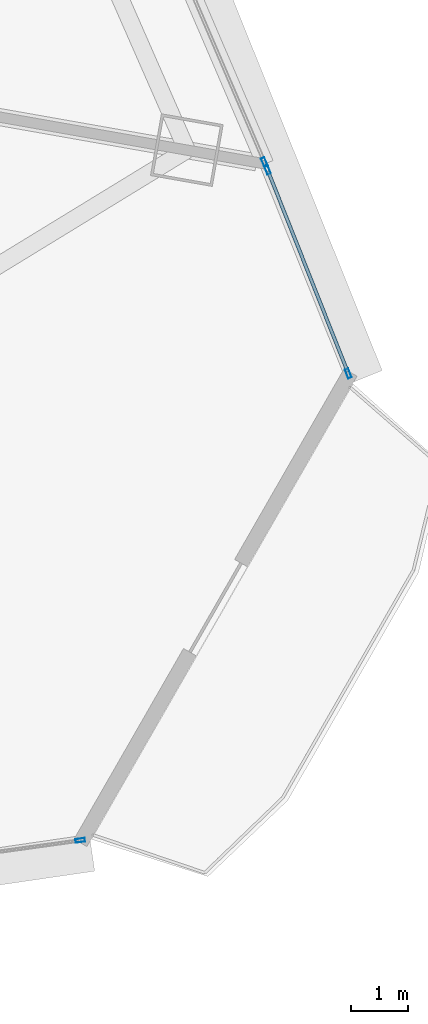
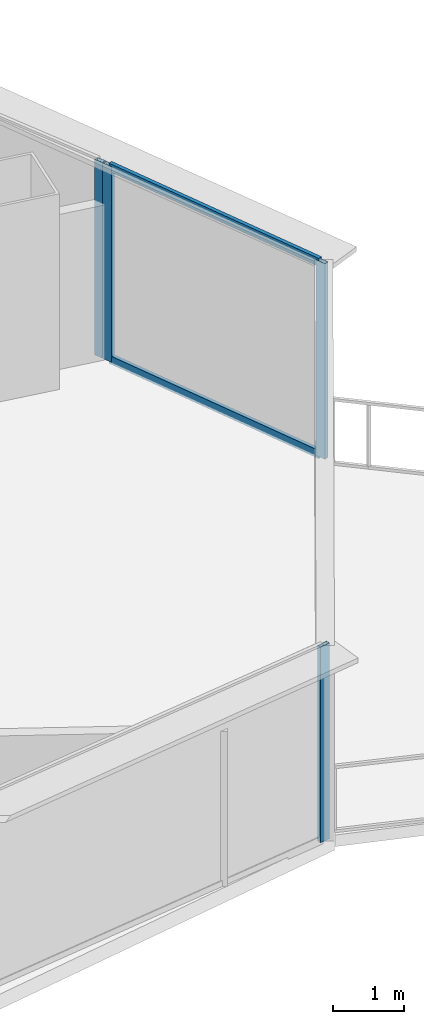
# One storey, part 22 of 37: 6 members, 3 elements without a shape of their own.
"""IFC4 building model written with IfcOpenShell, lengths in metres."""

from ifc_helpers import new_model, si_unit, direction, frame, origin, origin_2d, place, context, subcontext, project, spatial, hollow_rectangle, extrude, source, transform, mapped, material, layer, layer_set, material_profile, profile_set, type_object, element, aggregate, save


model = new_model("IFC4")

# Units and contexts
model_context = context("Model", 3, precision=1e-05, world=origin(), true_north=direction((0.0, 1.0)))
body_context = subcontext(model_context, "Body", "Model", "MODEL_VIEW")
ifc_project = project(units=[si_unit("LENGTHUNIT", "METRE"), si_unit("AREAUNIT", "SQUARE_METRE"), si_unit("VOLUMEUNIT", "CUBIC_METRE"), si_unit("PLANEANGLEUNIT", "RADIAN"), si_unit("MASSUNIT", "GRAM", prefix="KILO"), si_unit("THERMODYNAMICTEMPERATUREUNIT", "KELVIN"), si_unit("POWERUNIT", "WATT")], contexts=[model_context])

# Site, building, storey
site_placement = place(None, origin())
site = spatial("IfcSite", under=ifc_project, at=site_placement, CompositionType="ELEMENT")
building_placement = place(site_placement, origin())
building = spatial("IfcBuilding", under=site, at=building_placement, Name="Yunzhuo Pagoda Commons", CompositionType="ELEMENT")
storey_placement = place(building_placement, frame((0.0, 0.0, 55.81005859375)))
storey = spatial("IfcBuildingStorey", under=building, at=storey_placement, Name="L14", CompositionType="ELEMENT", Elevation=55.81005859375)

# Curtain wall, member
ifc_material = material(Name="Anodized aluminium 6063-T6", Category="aluminium")
ifc_layer = layer(ifc_material, 0.1650390625)
ifc_layer_set = layer_set([ifc_layer], Name="Anodized aluminium 6063-T6")
curtain_wall_type = type_object("IfcCurtainWallType", Name="CW-LOW Low-Zone Ribbon Curtain Wall", PredefinedType="NOTDEFINED", material=ifc_layer_set)
curtain_wall_1_placement = place(storey_placement, origin())
curtain_wall_1 = element("IfcCurtainWall", 1, at=curtain_wall_1_placement, inside=storey, type_object=curtain_wall_type, Name="L14 curtain wall CW-L14-F1B5", PredefinedType="NOTDEFINED")
ifc_material_profile_1 = material_profile(ifc_material, hollow_rectangle(XDim=0.06494140625, YDim=0.1650390625, WallThickness=0.00390625, at=origin_2d()), Name="Anodized aluminium 6063-T6")
ifc_profile_set_1 = profile_set([ifc_material_profile_1], Name="Anodized aluminium 6063-T6")
member_type_1 = type_object("IfcMemberType", Name="CW-LOW-M Mullion RHS 165x65x4", PredefinedType="MULLION", material=ifc_profile_set_1)
shared_shape_1 = source(origin(), body_context, "Body", "SweptSolid", [
    extrude(hollow_rectangle(XDim=0.06494140625, YDim=0.1650390625, WallThickness=0.00390625, at=origin_2d()), origin(), (0.0, 0.0, 1.0), 3.369873046875),
])
member_1_placement = place(storey_placement, frame((86.178955078125, 14.542236328125, 0.0), z_axis=(0.0, 0.0, 1.0), x_axis=(-0.13790498569, 0.990445462871, 0.0)))
member_1 = element("IfcMember", 2, at=member_1_placement, type_object=member_type_1, Name="CW mullion 2", PredefinedType="MULLION", context=body_context, shape_type="MappedRepresentation", body=[
    mapped(shared_shape_1, transform((0.0, 0.0, 0.0), scale=1.0)),
])
aggregate(curtain_wall_1, [member_1])

curtain_wall_2_placement = place(storey_placement, origin())
curtain_wall_2 = element("IfcCurtainWall", 3, at=curtain_wall_2_placement, inside=storey, type_object=curtain_wall_type, Name="L14 curtain wall CW-L14-F2B2", PredefinedType="NOTDEFINED")
member_2_placement = place(storey_placement, frame((89.40771484375, 26.426513671875, 0.0), z_axis=(0.0, 0.0, 1.0), x_axis=(-0.918993139703, -0.394273520769, 0.0)))
member_2 = element("IfcMember", 4, at=member_2_placement, type_object=member_type_1, Name="CW mullion 1", PredefinedType="MULLION", context=body_context, shape_type="MappedRepresentation", body=[
    mapped(shared_shape_1, transform((0.0, 0.0, 0.0), scale=1.0)),
])
aggregate(curtain_wall_2, [member_2])

# Curtain wall, members
curtain_wall_3_placement = place(storey_placement, origin())
curtain_wall_3 = element("IfcCurtainWall", 5, at=curtain_wall_3_placement, inside=storey, type_object=curtain_wall_type, Name="L14 curtain wall CW-L14-F2B1", PredefinedType="NOTDEFINED")
member_3_placement = place(storey_placement, frame((90.876953125, 22.7236328125, 0.0), z_axis=(0.0, 0.0, 1.0), x_axis=(-0.929582438104, -0.368614284542, 0.0)))
member_3 = element("IfcMember", 6, at=member_3_placement, type_object=member_type_1, Name="CW mullion 1", PredefinedType="MULLION", context=body_context, shape_type="MappedRepresentation", body=[
    mapped(shared_shape_1, transform((0.0, 0.0, 0.0), scale=1.0)),
])
member_4_placement = place(storey_placement, frame((89.460205078125, 26.29638671875, 0.0), z_axis=(0.0, 0.0, 1.0), x_axis=(-0.929582438104, -0.368614284542, 0.0)))
member_4 = element("IfcMember", 7, at=member_4_placement, type_object=member_type_1, Name="CW mullion 2", PredefinedType="MULLION", context=body_context, shape_type="MappedRepresentation", body=[
    mapped(shared_shape_1, transform((0.0, 0.0, 0.0), scale=1.0)),
])
ifc_material_profile_2 = material_profile(ifc_material, hollow_rectangle(XDim=0.06005859375, YDim=0.139892578125, WallThickness=0.00341796875, at=origin_2d()), Name="Anodized aluminium 6063-T6")
ifc_profile_set_2 = profile_set([ifc_material_profile_2], Name="Anodized aluminium 6063-T6")
member_type_2 = type_object("IfcMemberType", Name="CW-LOW-T Transom RHS 140x60x3.5", PredefinedType="USERDEFINED", material=ifc_profile_set_2)
shared_shape_2 = source(origin(), body_context, "Body", "SweptSolid", [
    extrude(hollow_rectangle(XDim=0.06005859375, YDim=0.139892578125, WallThickness=0.00341796875, at=origin_2d()), origin(), (0.0, 0.0, 1.0), 3.778564453125),
])
member_5_placement = place(storey_placement, frame((90.864990234375, 22.75390625, 0.030029296875), z_axis=(-0.368615131288, 0.929582102337, 0.0), x_axis=(-0.929582102337, -0.368615131288, 0.0)))
member_5 = element("IfcMember", 8, at=member_5_placement, type_object=member_type_2, Name="CW transom 1.1", ObjectType="TRANSOM", PredefinedType="USERDEFINED", context=body_context, shape_type="MappedRepresentation", body=[
    mapped(shared_shape_2, transform((0.0, 0.0, 0.0), scale=1.0)),
])
member_6_placement = place(storey_placement, frame((90.864990234375, 22.75390625, 3.33984375), z_axis=(-0.368615131288, 0.929582102337, 0.0), x_axis=(-0.929582102337, -0.368615131288, 0.0)))
member_6 = element("IfcMember", 9, at=member_6_placement, type_object=member_type_2, Name="CW transom 1.2", ObjectType="TRANSOM", PredefinedType="USERDEFINED", context=body_context, shape_type="MappedRepresentation", body=[
    mapped(shared_shape_2, transform((0.0, 0.0, 0.0), scale=1.0)),
])
aggregate(curtain_wall_3, [member_3, member_4, member_5, member_6])

save(model, "model.ifc")
